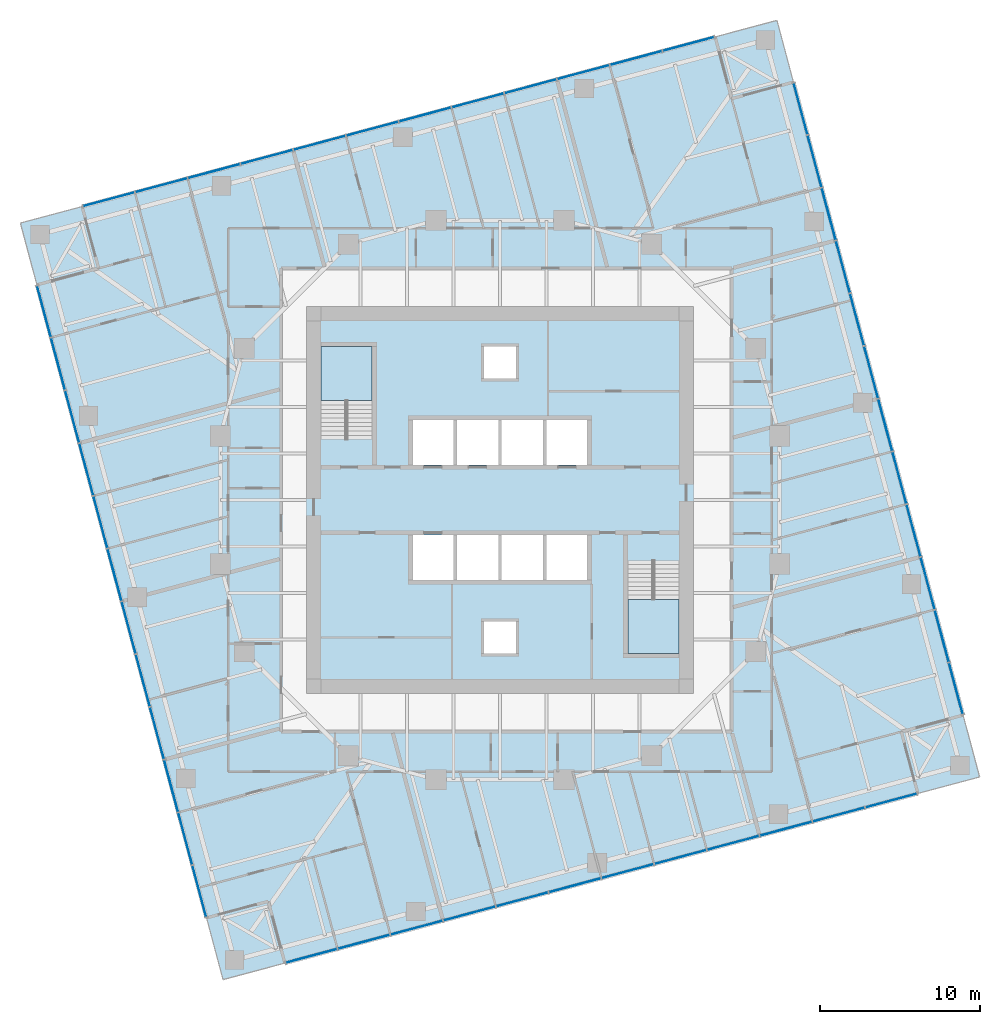
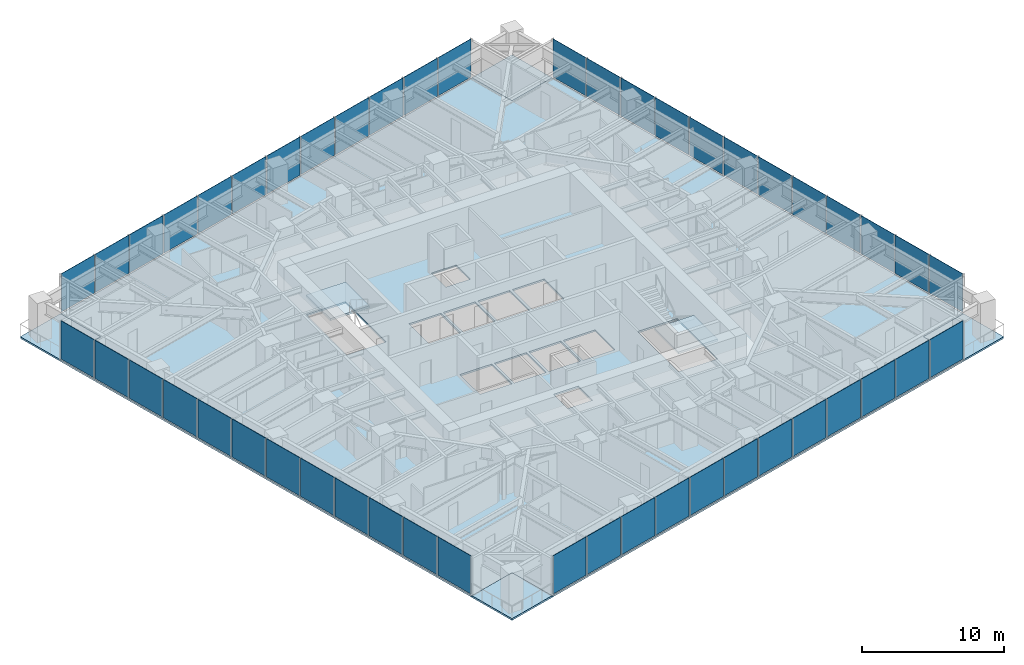
# One storey, part 7 of 14: 48 plates, 7 slabs, 6 elements without a shape of their own.
"""IFC4 building model written with IfcOpenShell, lengths in metres."""

from ifc_helpers import new_model, si_unit, direction, frame, origin, origin_2d, place, context, subcontext, project, spatial, polyline, rectangle, outline, extrude, material, layer, layer_set, type_object, element, aggregate, save


model = new_model("IFC4")

# Units and contexts
model_context = context("Model", 3, precision=1e-05, world=origin(), true_north=direction((0.0, 1.0)))
body_context = subcontext(model_context, "Body", "Model", "MODEL_VIEW")
ifc_project = project(units=[si_unit("LENGTHUNIT", "METRE"), si_unit("AREAUNIT", "SQUARE_METRE"), si_unit("VOLUMEUNIT", "CUBIC_METRE"), si_unit("PLANEANGLEUNIT", "RADIAN"), si_unit("MASSUNIT", "GRAM", prefix="KILO")], contexts=[model_context])

# Site, building, storey
site_placement = place(None, origin())
site = spatial("IfcSite", under=ifc_project, at=site_placement, CompositionType="ELEMENT")
building_placement = place(site_placement, origin())
building = spatial("IfcBuilding", under=site, at=building_placement, Name="Torsade Residences", CompositionType="ELEMENT")
storey_placement = place(building_placement, frame((0.0, 0.0, 111.60009765625)))
storey = spatial("IfcBuildingStorey", under=building, at=storey_placement, Name="L30", CompositionType="ELEMENT", Elevation=111.60009765625)

# Slab
ifc_material_1 = material(Name="Concrete 40 MPa", Category="concrete")
ifc_layer_1 = layer(ifc_material_1, 0.14990234375)
ifc_layer_set_1 = layer_set([ifc_layer_1], Name="Concrete 40 MPa")
slab_type_1 = type_object("IfcSlabType", Name="COMPOSITE FLOOR SLAB 150", PredefinedType="FLOOR", material=ifc_layer_set_1)
slab_1_placement = place(storey_placement, frame((0.0, 0.0, -0.150146484375)))
element("IfcSlab", 1, at=slab_1_placement, inside=storey, type_object=slab_type_1, Name="Floor slab L30", PredefinedType="FLOOR", context=body_context, shape_type="SweptSolid", body=[
    extrude(outline(polyline([(26.53955078125, 1.029052734375), (66.142578125, 11.640625), (65.107177734375, 15.50439453125), (68.970947265625, 16.53955078125), (58.359375, 56.142578125), (54.49560546875, 55.107177734375), (53.46044921875, 58.970947265625), (13.857421875, 48.359375), (14.892822265625, 44.49560546875), (11.029052734375, 43.46044921875), (21.640625, 3.857421875), (25.50439453125, 4.892822265625), (26.53955078125, 1.029052734375)]), holes=[polyline([(51.199951171875, 20.39990234375), (51.199951171875, 26.1201171875), (48.0, 26.1201171875), (48.0, 20.39990234375), (51.199951171875, 20.39990234375)]), polyline([(45.5, 27.800048828125), (42.89990234375, 27.800048828125), (42.89990234375, 25.0), (45.5, 25.0), (45.5, 27.800048828125)]), polyline([(45.5, 32.199951171875), (45.5, 35.0), (42.89990234375, 35.0), (42.89990234375, 32.199951171875), (45.5, 32.199951171875)]), polyline([(42.699951171875, 25.0), (42.699951171875, 27.800048828125), (40.10009765625, 27.800048828125), (40.10009765625, 25.0), (42.699951171875, 25.0)]), polyline([(42.699951171875, 32.199951171875), (42.699951171875, 35.0), (40.10009765625, 35.0), (40.10009765625, 32.199951171875), (42.699951171875, 32.199951171875)]), polyline([(41.0, 22.39990234375), (39.0, 22.39990234375), (39.0, 20.39990234375), (41.0, 20.39990234375), (41.0, 22.39990234375)]), polyline([(41.0, 37.60009765625), (41.0, 39.60009765625), (39.0, 39.60009765625), (39.0, 37.60009765625), (41.0, 37.60009765625)]), polyline([(39.89990234375, 25.0), (39.89990234375, 27.800048828125), (37.300048828125, 27.800048828125), (37.300048828125, 25.0), (39.89990234375, 25.0)]), polyline([(39.89990234375, 35.0), (37.300048828125, 35.0), (37.300048828125, 32.199951171875), (39.89990234375, 32.199951171875), (39.89990234375, 35.0)]), polyline([(37.10009765625, 27.800048828125), (34.5, 27.800048828125), (34.5, 25.0), (37.10009765625, 25.0), (37.10009765625, 27.800048828125)]), polyline([(37.10009765625, 32.199951171875), (37.10009765625, 35.0), (34.5, 35.0), (34.5, 32.199951171875), (37.10009765625, 32.199951171875)]), polyline([(32.0, 33.8798828125), (32.0, 39.60009765625), (28.800048828125, 39.60009765625), (28.800048828125, 33.8798828125), (32.0, 33.8798828125)])]), origin(), (0.0, 0.0, 1.0), 0.150146484375),
])

# Curtain wall, plates
ifc_material_2 = material(Name="Aluminium and glass", Category="aluminium")
curtain_wall_type = type_object("IfcCurtainWallType", Name="FRITTED GLASS CURTAIN WALL MID ZONE", PredefinedType="NOTDEFINED", material=ifc_material_2)
curtain_wall_1_placement = place(storey_placement, origin())
curtain_wall_1 = element("IfcCurtainWall", 2, at=curtain_wall_1_placement, inside=storey, type_object=curtain_wall_type, Name="Curtain wall L30 face 1", PredefinedType="NOTDEFINED")
ifc_material_3 = material(Name="Laminated glass", Category="glass")
ifc_layer_2 = layer(ifc_material_3, 0.031982421875)
ifc_layer_set_2 = layer_set([ifc_layer_2], Name="Laminated glass")
plate_type_1 = type_object("IfcPlateType", Name="FRITTED GLASS PANEL", PredefinedType="CURTAIN_PANEL", material=ifc_layer_set_2)
plate_1_placement = place(storey_placement, frame((28.208984375, 1.476318359375, 0.10986328125), z_axis=(0.0, 0.0, 1.0), x_axis=(0.965925825571, 0.258819047783, 0.0)))
plate_1 = element("IfcPlate", 3, at=plate_1_placement, type_object=plate_type_1, Name="Panel 1", PredefinedType="CURTAIN_PANEL", context=body_context, shape_type="SweptSolid", body=[
    extrude(rectangle(XDim=3.296630859375, YDim=0.031982421875, at=origin_2d()), origin(), (0.0, 0.0, 1.0), 3.2900390625),
])
plate_2_placement = place(storey_placement, frame((34.790283203125, 3.23974609375, 0.10986328125), z_axis=(0.0, 0.0, 1.0), x_axis=(0.965925825571, 0.258819047783, 0.0)))
plate_2 = element("IfcPlate", 4, at=plate_2_placement, type_object=plate_type_1, Name="Panel 3", PredefinedType="CURTAIN_PANEL", context=body_context, shape_type="SweptSolid", body=[
    extrude(rectangle(XDim=3.336669921875, YDim=0.031982421875, at=origin_2d()), origin(), (0.0, 0.0, 1.0), 3.2900390625),
])
plate_3_placement = place(storey_placement, frame((38.09033203125, 4.1240234375, 0.10986328125), z_axis=(0.0, 0.0, 1.0), x_axis=(0.965925825571, 0.258819047783, 0.0)))
plate_3 = element("IfcPlate", 5, at=plate_3_placement, type_object=plate_type_1, Name="Panel 4", PredefinedType="CURTAIN_PANEL", context=body_context, shape_type="SweptSolid", body=[
    extrude(rectangle(XDim=3.336669921875, YDim=0.031982421875, at=origin_2d()), origin(), (0.0, 0.0, 1.0), 3.2900390625),
])
plate_4_placement = place(storey_placement, frame((41.390625, 5.00830078125, 0.10986328125), z_axis=(0.0, 0.0, 1.0), x_axis=(0.965925825571, 0.258819047783, 0.0)))
plate_4 = element("IfcPlate", 6, at=plate_4_placement, type_object=plate_type_1, Name="Panel 5", PredefinedType="CURTAIN_PANEL", context=body_context, shape_type="SweptSolid", body=[
    extrude(rectangle(XDim=3.336669921875, YDim=0.031982421875, at=origin_2d()), origin(), (0.0, 0.0, 1.0), 3.2900390625),
])
plate_5_placement = place(storey_placement, frame((47.9912109375, 6.77685546875, 0.10986328125), z_axis=(0.0, 0.0, 1.0), x_axis=(0.965925825571, 0.258819047783, 0.0)))
plate_5 = element("IfcPlate", 7, at=plate_5_placement, type_object=plate_type_1, Name="Panel 7", PredefinedType="CURTAIN_PANEL", context=body_context, shape_type="SweptSolid", body=[
    extrude(rectangle(XDim=3.336669921875, YDim=0.031982421875, at=origin_2d()), origin(), (0.0, 0.0, 1.0), 3.2900390625),
])
plate_6_placement = place(storey_placement, frame((51.29150390625, 7.661376953125, 0.10986328125), z_axis=(0.0, 0.0, 1.0), x_axis=(0.965925825571, 0.258819047783, 0.0)))
plate_6 = element("IfcPlate", 8, at=plate_6_placement, type_object=plate_type_1, Name="Panel 8", PredefinedType="CURTAIN_PANEL", context=body_context, shape_type="SweptSolid", body=[
    extrude(rectangle(XDim=3.336669921875, YDim=0.031982421875, at=origin_2d()), origin(), (0.0, 0.0, 1.0), 3.2900390625),
])
plate_7_placement = place(storey_placement, frame((54.591796875, 8.545654296875, 0.10986328125), z_axis=(0.0, 0.0, 1.0), x_axis=(0.965925825571, 0.258819047783, 0.0)))
plate_7 = element("IfcPlate", 9, at=plate_7_placement, type_object=plate_type_1, Name="Panel 9", PredefinedType="CURTAIN_PANEL", context=body_context, shape_type="SweptSolid", body=[
    extrude(rectangle(XDim=3.336669921875, YDim=0.031982421875, at=origin_2d()), origin(), (0.0, 0.0, 1.0), 3.2900390625),
])
plate_8_placement = place(storey_placement, frame((61.192138671875, 10.314208984375, 0.10986328125), z_axis=(0.0, 0.0, 1.0), x_axis=(0.965925825571, 0.258819047783, 0.0)))
plate_8 = element("IfcPlate", 10, at=plate_8_placement, type_object=plate_type_1, Name="Panel 11", PredefinedType="CURTAIN_PANEL", context=body_context, shape_type="SweptSolid", body=[
    extrude(rectangle(XDim=3.336669921875, YDim=0.031982421875, at=origin_2d()), origin(), (0.0, 0.0, 1.0), 3.2900390625),
])
plate_9_placement = place(storey_placement, frame((64.47314453125, 11.193359375, 0.10986328125), z_axis=(0.0, 0.0, 1.0), x_axis=(0.965925825571, 0.258819047783, 0.0)))
plate_9 = element("IfcPlate", 11, at=plate_9_placement, type_object=plate_type_1, Name="Panel 12", PredefinedType="CURTAIN_PANEL", context=body_context, shape_type="SweptSolid", body=[
    extrude(rectangle(XDim=3.296630859375, YDim=0.031982421875, at=origin_2d()), origin(), (0.0, 0.0, 1.0), 3.2900390625),
])

curtain_wall_2_placement = place(storey_placement, origin())
curtain_wall_2 = element("IfcCurtainWall", 12, at=curtain_wall_2_placement, inside=storey, type_object=curtain_wall_type, Name="Curtain wall L30 face 4", PredefinedType="NOTDEFINED")
plate_10_placement = place(storey_placement, frame((68.523681640625, 18.208984375, 0.10986328125), z_axis=(0.0, 0.0, 1.0), x_axis=(-0.258819047783, 0.965925825571, 0.0)))
plate_10 = element("IfcPlate", 13, at=plate_10_placement, type_object=plate_type_1, Name="Panel 1", PredefinedType="CURTAIN_PANEL", context=body_context, shape_type="SweptSolid", body=[
    extrude(rectangle(XDim=3.296630859375, YDim=0.031982421875, at=origin_2d()), origin(), (0.0, 0.0, 1.0), 3.2900390625),
])
plate_11_placement = place(storey_placement, frame((66.76025390625, 24.790283203125, 0.10986328125), z_axis=(0.0, 0.0, 1.0), x_axis=(-0.258819047783, 0.965925825571, 0.0)))
plate_11 = element("IfcPlate", 14, at=plate_11_placement, type_object=plate_type_1, Name="Panel 3", PredefinedType="CURTAIN_PANEL", context=body_context, shape_type="SweptSolid", body=[
    extrude(rectangle(XDim=3.336669921875, YDim=0.031982421875, at=origin_2d()), origin(), (0.0, 0.0, 1.0), 3.2900390625),
])
plate_12_placement = place(storey_placement, frame((65.8759765625, 28.09033203125, 0.10986328125), z_axis=(0.0, 0.0, 1.0), x_axis=(-0.258819047783, 0.965925825571, 0.0)))
plate_12 = element("IfcPlate", 15, at=plate_12_placement, type_object=plate_type_1, Name="Panel 4", PredefinedType="CURTAIN_PANEL", context=body_context, shape_type="SweptSolid", body=[
    extrude(rectangle(XDim=3.336669921875, YDim=0.031982421875, at=origin_2d()), origin(), (0.0, 0.0, 1.0), 3.2900390625),
])
plate_13_placement = place(storey_placement, frame((64.99169921875, 31.390625, 0.10986328125), z_axis=(0.0, 0.0, 1.0), x_axis=(-0.258819047783, 0.965925825571, 0.0)))
plate_13 = element("IfcPlate", 16, at=plate_13_placement, type_object=plate_type_1, Name="Panel 5", PredefinedType="CURTAIN_PANEL", context=body_context, shape_type="SweptSolid", body=[
    extrude(rectangle(XDim=3.336669921875, YDim=0.031982421875, at=origin_2d()), origin(), (0.0, 0.0, 1.0), 3.2900390625),
])
plate_14_placement = place(storey_placement, frame((63.22314453125, 37.9912109375, 0.10986328125), z_axis=(0.0, 0.0, 1.0), x_axis=(-0.258819047783, 0.965925825571, 0.0)))
plate_14 = element("IfcPlate", 17, at=plate_14_placement, type_object=plate_type_1, Name="Panel 7", PredefinedType="CURTAIN_PANEL", context=body_context, shape_type="SweptSolid", body=[
    extrude(rectangle(XDim=3.336669921875, YDim=0.031982421875, at=origin_2d()), origin(), (0.0, 0.0, 1.0), 3.2900390625),
])
plate_15_placement = place(storey_placement, frame((62.338623046875, 41.29150390625, 0.10986328125), z_axis=(0.0, 0.0, 1.0), x_axis=(-0.258819047783, 0.965925825571, 0.0)))
plate_15 = element("IfcPlate", 18, at=plate_15_placement, type_object=plate_type_1, Name="Panel 8", PredefinedType="CURTAIN_PANEL", context=body_context, shape_type="SweptSolid", body=[
    extrude(rectangle(XDim=3.336669921875, YDim=0.031982421875, at=origin_2d()), origin(), (0.0, 0.0, 1.0), 3.2900390625),
])
plate_16_placement = place(storey_placement, frame((61.454345703125, 44.591796875, 0.10986328125), z_axis=(0.0, 0.0, 1.0), x_axis=(-0.258819047783, 0.965925825571, 0.0)))
plate_16 = element("IfcPlate", 19, at=plate_16_placement, type_object=plate_type_1, Name="Panel 9", PredefinedType="CURTAIN_PANEL", context=body_context, shape_type="SweptSolid", body=[
    extrude(rectangle(XDim=3.336669921875, YDim=0.031982421875, at=origin_2d()), origin(), (0.0, 0.0, 1.0), 3.2900390625),
])
plate_17_placement = place(storey_placement, frame((59.685791015625, 51.192138671875, 0.10986328125), z_axis=(0.0, 0.0, 1.0), x_axis=(-0.258819047783, 0.965925825571, 0.0)))
plate_17 = element("IfcPlate", 20, at=plate_17_placement, type_object=plate_type_1, Name="Panel 11", PredefinedType="CURTAIN_PANEL", context=body_context, shape_type="SweptSolid", body=[
    extrude(rectangle(XDim=3.336669921875, YDim=0.031982421875, at=origin_2d()), origin(), (0.0, 0.0, 1.0), 3.2900390625),
])
plate_18_placement = place(storey_placement, frame((58.806640625, 54.47314453125, 0.10986328125), z_axis=(0.0, 0.0, 1.0), x_axis=(-0.258819047783, 0.965925825571, 0.0)))
plate_18 = element("IfcPlate", 21, at=plate_18_placement, type_object=plate_type_1, Name="Panel 12", PredefinedType="CURTAIN_PANEL", context=body_context, shape_type="SweptSolid", body=[
    extrude(rectangle(XDim=3.296630859375, YDim=0.031982421875, at=origin_2d()), origin(), (0.0, 0.0, 1.0), 3.2900390625),
])

curtain_wall_3_placement = place(storey_placement, origin())
curtain_wall_3 = element("IfcCurtainWall", 22, at=curtain_wall_3_placement, inside=storey, type_object=curtain_wall_type, Name="Curtain wall L30 face 7", PredefinedType="NOTDEFINED")
plate_19_placement = place(storey_placement, frame((51.791015625, 58.523681640625, 0.10986328125), z_axis=(0.0, 0.0, 1.0), x_axis=(-0.965925825571, -0.258819047783, 0.0)))
plate_19 = element("IfcPlate", 23, at=plate_19_placement, type_object=plate_type_1, Name="Panel 1", PredefinedType="CURTAIN_PANEL", context=body_context, shape_type="SweptSolid", body=[
    extrude(rectangle(XDim=3.296630859375, YDim=0.031982421875, at=origin_2d()), origin(), (0.0, 0.0, 1.0), 3.2900390625),
])
plate_20_placement = place(storey_placement, frame((45.209716796875, 56.76025390625, 0.10986328125), z_axis=(0.0, 0.0, 1.0), x_axis=(-0.965925825571, -0.258819047783, 0.0)))
plate_20 = element("IfcPlate", 24, at=plate_20_placement, type_object=plate_type_1, Name="Panel 3", PredefinedType="CURTAIN_PANEL", context=body_context, shape_type="SweptSolid", body=[
    extrude(rectangle(XDim=3.336669921875, YDim=0.031982421875, at=origin_2d()), origin(), (0.0, 0.0, 1.0), 3.2900390625),
])
plate_21_placement = place(storey_placement, frame((41.90966796875, 55.8759765625, 0.10986328125), z_axis=(0.0, 0.0, 1.0), x_axis=(-0.965925825571, -0.258819047783, 0.0)))
plate_21 = element("IfcPlate", 25, at=plate_21_placement, type_object=plate_type_1, Name="Panel 4", PredefinedType="CURTAIN_PANEL", context=body_context, shape_type="SweptSolid", body=[
    extrude(rectangle(XDim=3.336669921875, YDim=0.031982421875, at=origin_2d()), origin(), (0.0, 0.0, 1.0), 3.2900390625),
])
plate_22_placement = place(storey_placement, frame((38.609375, 54.99169921875, 0.10986328125), z_axis=(0.0, 0.0, 1.0), x_axis=(-0.965925825571, -0.258819047783, 0.0)))
plate_22 = element("IfcPlate", 26, at=plate_22_placement, type_object=plate_type_1, Name="Panel 5", PredefinedType="CURTAIN_PANEL", context=body_context, shape_type="SweptSolid", body=[
    extrude(rectangle(XDim=3.336669921875, YDim=0.031982421875, at=origin_2d()), origin(), (0.0, 0.0, 1.0), 3.2900390625),
])
plate_23_placement = place(storey_placement, frame((32.0087890625, 53.22314453125, 0.10986328125), z_axis=(0.0, 0.0, 1.0), x_axis=(-0.965925825571, -0.258819047783, 0.0)))
plate_23 = element("IfcPlate", 27, at=plate_23_placement, type_object=plate_type_1, Name="Panel 7", PredefinedType="CURTAIN_PANEL", context=body_context, shape_type="SweptSolid", body=[
    extrude(rectangle(XDim=3.336669921875, YDim=0.031982421875, at=origin_2d()), origin(), (0.0, 0.0, 1.0), 3.2900390625),
])
plate_24_placement = place(storey_placement, frame((28.70849609375, 52.338623046875, 0.10986328125), z_axis=(0.0, 0.0, 1.0), x_axis=(-0.965925825571, -0.258819047783, 0.0)))
plate_24 = element("IfcPlate", 28, at=plate_24_placement, type_object=plate_type_1, Name="Panel 8", PredefinedType="CURTAIN_PANEL", context=body_context, shape_type="SweptSolid", body=[
    extrude(rectangle(XDim=3.336669921875, YDim=0.031982421875, at=origin_2d()), origin(), (0.0, 0.0, 1.0), 3.2900390625),
])
plate_25_placement = place(storey_placement, frame((25.408203125, 51.454345703125, 0.10986328125), z_axis=(0.0, 0.0, 1.0), x_axis=(-0.965925825571, -0.258819047783, 0.0)))
plate_25 = element("IfcPlate", 29, at=plate_25_placement, type_object=plate_type_1, Name="Panel 9", PredefinedType="CURTAIN_PANEL", context=body_context, shape_type="SweptSolid", body=[
    extrude(rectangle(XDim=3.336669921875, YDim=0.031982421875, at=origin_2d()), origin(), (0.0, 0.0, 1.0), 3.2900390625),
])
plate_26_placement = place(storey_placement, frame((18.807861328125, 49.685791015625, 0.10986328125), z_axis=(0.0, 0.0, 1.0), x_axis=(-0.965925825571, -0.258819047783, 0.0)))
plate_26 = element("IfcPlate", 30, at=plate_26_placement, type_object=plate_type_1, Name="Panel 11", PredefinedType="CURTAIN_PANEL", context=body_context, shape_type="SweptSolid", body=[
    extrude(rectangle(XDim=3.336669921875, YDim=0.031982421875, at=origin_2d()), origin(), (0.0, 0.0, 1.0), 3.2900390625),
])
plate_27_placement = place(storey_placement, frame((15.52685546875, 48.806640625, 0.10986328125), z_axis=(0.0, 0.0, 1.0), x_axis=(-0.965925825571, -0.258819047783, 0.0)))
plate_27 = element("IfcPlate", 31, at=plate_27_placement, type_object=plate_type_1, Name="Panel 12", PredefinedType="CURTAIN_PANEL", context=body_context, shape_type="SweptSolid", body=[
    extrude(rectangle(XDim=3.296630859375, YDim=0.031982421875, at=origin_2d()), origin(), (0.0, 0.0, 1.0), 3.2900390625),
])

curtain_wall_4_placement = place(storey_placement, origin())
curtain_wall_4 = element("IfcCurtainWall", 32, at=curtain_wall_4_placement, inside=storey, type_object=curtain_wall_type, Name="Curtain wall L30 face 10", PredefinedType="NOTDEFINED")
plate_28_placement = place(storey_placement, frame((11.476318359375, 41.791015625, 0.10986328125), z_axis=(0.0, 0.0, 1.0), x_axis=(0.258819047783, -0.965925825571, 0.0)))
plate_28 = element("IfcPlate", 33, at=plate_28_placement, type_object=plate_type_1, Name="Panel 1", PredefinedType="CURTAIN_PANEL", context=body_context, shape_type="SweptSolid", body=[
    extrude(rectangle(XDim=3.296630859375, YDim=0.031982421875, at=origin_2d()), origin(), (0.0, 0.0, 1.0), 3.2900390625),
])
plate_29_placement = place(storey_placement, frame((13.23974609375, 35.209716796875, 0.10986328125), z_axis=(0.0, 0.0, 1.0), x_axis=(0.258819047783, -0.965925825571, 0.0)))
plate_29 = element("IfcPlate", 34, at=plate_29_placement, type_object=plate_type_1, Name="Panel 3", PredefinedType="CURTAIN_PANEL", context=body_context, shape_type="SweptSolid", body=[
    extrude(rectangle(XDim=3.336669921875, YDim=0.031982421875, at=origin_2d()), origin(), (0.0, 0.0, 1.0), 3.2900390625),
])
plate_30_placement = place(storey_placement, frame((14.1240234375, 31.90966796875, 0.10986328125), z_axis=(0.0, 0.0, 1.0), x_axis=(0.258819047783, -0.965925825571, 0.0)))
plate_30 = element("IfcPlate", 35, at=plate_30_placement, type_object=plate_type_1, Name="Panel 4", PredefinedType="CURTAIN_PANEL", context=body_context, shape_type="SweptSolid", body=[
    extrude(rectangle(XDim=3.336669921875, YDim=0.031982421875, at=origin_2d()), origin(), (0.0, 0.0, 1.0), 3.2900390625),
])
plate_31_placement = place(storey_placement, frame((15.00830078125, 28.609375, 0.10986328125), z_axis=(0.0, 0.0, 1.0), x_axis=(0.258819047783, -0.965925825571, 0.0)))
plate_31 = element("IfcPlate", 36, at=plate_31_placement, type_object=plate_type_1, Name="Panel 5", PredefinedType="CURTAIN_PANEL", context=body_context, shape_type="SweptSolid", body=[
    extrude(rectangle(XDim=3.336669921875, YDim=0.031982421875, at=origin_2d()), origin(), (0.0, 0.0, 1.0), 3.2900390625),
])
plate_32_placement = place(storey_placement, frame((16.77685546875, 22.0087890625, 0.10986328125), z_axis=(0.0, 0.0, 1.0), x_axis=(0.258819047783, -0.965925825571, 0.0)))
plate_32 = element("IfcPlate", 37, at=plate_32_placement, type_object=plate_type_1, Name="Panel 7", PredefinedType="CURTAIN_PANEL", context=body_context, shape_type="SweptSolid", body=[
    extrude(rectangle(XDim=3.336669921875, YDim=0.031982421875, at=origin_2d()), origin(), (0.0, 0.0, 1.0), 3.2900390625),
])
plate_33_placement = place(storey_placement, frame((17.661376953125, 18.70849609375, 0.10986328125), z_axis=(0.0, 0.0, 1.0), x_axis=(0.258819047783, -0.965925825571, 0.0)))
plate_33 = element("IfcPlate", 38, at=plate_33_placement, type_object=plate_type_1, Name="Panel 8", PredefinedType="CURTAIN_PANEL", context=body_context, shape_type="SweptSolid", body=[
    extrude(rectangle(XDim=3.336669921875, YDim=0.031982421875, at=origin_2d()), origin(), (0.0, 0.0, 1.0), 3.2900390625),
])
plate_34_placement = place(storey_placement, frame((18.545654296875, 15.408203125, 0.10986328125), z_axis=(0.0, 0.0, 1.0), x_axis=(0.258819047783, -0.965925825571, 0.0)))
plate_34 = element("IfcPlate", 39, at=plate_34_placement, type_object=plate_type_1, Name="Panel 9", PredefinedType="CURTAIN_PANEL", context=body_context, shape_type="SweptSolid", body=[
    extrude(rectangle(XDim=3.336669921875, YDim=0.031982421875, at=origin_2d()), origin(), (0.0, 0.0, 1.0), 3.2900390625),
])
plate_35_placement = place(storey_placement, frame((20.314208984375, 8.807861328125, 0.10986328125), z_axis=(0.0, 0.0, 1.0), x_axis=(0.258819047783, -0.965925825571, 0.0)))
plate_35 = element("IfcPlate", 40, at=plate_35_placement, type_object=plate_type_1, Name="Panel 11", PredefinedType="CURTAIN_PANEL", context=body_context, shape_type="SweptSolid", body=[
    extrude(rectangle(XDim=3.336669921875, YDim=0.031982421875, at=origin_2d()), origin(), (0.0, 0.0, 1.0), 3.2900390625),
])
plate_36_placement = place(storey_placement, frame((21.193359375, 5.52685546875, 0.10986328125), z_axis=(0.0, 0.0, 1.0), x_axis=(0.258819047783, -0.965925825571, 0.0)))
plate_36 = element("IfcPlate", 41, at=plate_36_placement, type_object=plate_type_1, Name="Panel 12", PredefinedType="CURTAIN_PANEL", context=body_context, shape_type="SweptSolid", body=[
    extrude(rectangle(XDim=3.296630859375, YDim=0.031982421875, at=origin_2d()), origin(), (0.0, 0.0, 1.0), 3.2900390625),
])

# Plate
ifc_material_4 = material(Name="Laminated glass", Category="glass")
ifc_layer_3 = layer(ifc_material_4, 0.0400390625)
ifc_layer_set_3 = layer_set([ifc_layer_3], Name="Laminated glass")
plate_type_2 = type_object("IfcPlateType", Name="OPERABLE VENT PANEL", PredefinedType="CURTAIN_PANEL", material=ifc_layer_set_3)
plate_37_placement = place(storey_placement, frame((31.489990234375, 2.35546875, 0.10986328125), z_axis=(0.0, 0.0, 1.0), x_axis=(0.965925825571, 0.258819047783, 0.0)))
plate_37 = element("IfcPlate", 42, at=plate_37_placement, type_object=plate_type_2, Name="Panel 2", PredefinedType="CURTAIN_PANEL", context=body_context, shape_type="SweptSolid", body=[
    extrude(rectangle(XDim=3.336669921875, YDim=0.0400390625, at=origin_2d()), origin(), (0.0, 0.0, 1.0), 3.2900390625),
])

plate_38_placement = place(storey_placement, frame((44.69091796875, 5.892578125, 0.10986328125), z_axis=(0.0, 0.0, 1.0), x_axis=(0.965925825571, 0.258819047783, 0.0)))
plate_38 = element("IfcPlate", 43, at=plate_38_placement, type_object=plate_type_2, Name="Panel 6", PredefinedType="CURTAIN_PANEL", context=body_context, shape_type="SweptSolid", body=[
    extrude(rectangle(XDim=3.336669921875, YDim=0.0400390625, at=origin_2d()), origin(), (0.0, 0.0, 1.0), 3.2900390625),
])

plate_39_placement = place(storey_placement, frame((57.891845703125, 9.429931640625, 0.10986328125), z_axis=(0.0, 0.0, 1.0), x_axis=(0.965925825571, 0.258819047783, 0.0)))
plate_39 = element("IfcPlate", 44, at=plate_39_placement, type_object=plate_type_2, Name="Panel 10", PredefinedType="CURTAIN_PANEL", context=body_context, shape_type="SweptSolid", body=[
    extrude(rectangle(XDim=3.336669921875, YDim=0.0400390625, at=origin_2d()), origin(), (0.0, 0.0, 1.0), 3.2900390625),
])

aggregate(curtain_wall_1, [plate_1, plate_37, plate_2, plate_3, plate_4, plate_38, plate_5, plate_6, plate_7, plate_39, plate_8, plate_9])

plate_40_placement = place(storey_placement, frame((67.64453125, 21.489990234375, 0.10986328125), z_axis=(0.0, 0.0, 1.0), x_axis=(-0.258819047783, 0.965925825571, 0.0)))
plate_40 = element("IfcPlate", 45, at=plate_40_placement, type_object=plate_type_2, Name="Panel 2", PredefinedType="CURTAIN_PANEL", context=body_context, shape_type="SweptSolid", body=[
    extrude(rectangle(XDim=3.336669921875, YDim=0.0400390625, at=origin_2d()), origin(), (0.0, 0.0, 1.0), 3.2900390625),
])

plate_41_placement = place(storey_placement, frame((64.107421875, 34.69091796875, 0.10986328125), z_axis=(0.0, 0.0, 1.0), x_axis=(-0.258819047783, 0.965925825571, 0.0)))
plate_41 = element("IfcPlate", 46, at=plate_41_placement, type_object=plate_type_2, Name="Panel 6", PredefinedType="CURTAIN_PANEL", context=body_context, shape_type="SweptSolid", body=[
    extrude(rectangle(XDim=3.336669921875, YDim=0.0400390625, at=origin_2d()), origin(), (0.0, 0.0, 1.0), 3.2900390625),
])

plate_42_placement = place(storey_placement, frame((60.570068359375, 47.891845703125, 0.10986328125), z_axis=(0.0, 0.0, 1.0), x_axis=(-0.258819047783, 0.965925825571, 0.0)))
plate_42 = element("IfcPlate", 47, at=plate_42_placement, type_object=plate_type_2, Name="Panel 10", PredefinedType="CURTAIN_PANEL", context=body_context, shape_type="SweptSolid", body=[
    extrude(rectangle(XDim=3.336669921875, YDim=0.0400390625, at=origin_2d()), origin(), (0.0, 0.0, 1.0), 3.2900390625),
])

aggregate(curtain_wall_2, [plate_10, plate_40, plate_11, plate_12, plate_13, plate_41, plate_14, plate_15, plate_16, plate_42, plate_17, plate_18])

plate_43_placement = place(storey_placement, frame((48.510009765625, 57.64453125, 0.10986328125), z_axis=(0.0, 0.0, 1.0), x_axis=(-0.965925825571, -0.258819047783, 0.0)))
plate_43 = element("IfcPlate", 48, at=plate_43_placement, type_object=plate_type_2, Name="Panel 2", PredefinedType="CURTAIN_PANEL", context=body_context, shape_type="SweptSolid", body=[
    extrude(rectangle(XDim=3.336669921875, YDim=0.0400390625, at=origin_2d()), origin(), (0.0, 0.0, 1.0), 3.2900390625),
])

plate_44_placement = place(storey_placement, frame((35.30908203125, 54.107421875, 0.10986328125), z_axis=(0.0, 0.0, 1.0), x_axis=(-0.965925825571, -0.258819047783, 0.0)))
plate_44 = element("IfcPlate", 49, at=plate_44_placement, type_object=plate_type_2, Name="Panel 6", PredefinedType="CURTAIN_PANEL", context=body_context, shape_type="SweptSolid", body=[
    extrude(rectangle(XDim=3.336669921875, YDim=0.0400390625, at=origin_2d()), origin(), (0.0, 0.0, 1.0), 3.2900390625),
])

plate_45_placement = place(storey_placement, frame((22.108154296875, 50.570068359375, 0.10986328125), z_axis=(0.0, 0.0, 1.0), x_axis=(-0.965925825571, -0.258819047783, 0.0)))
plate_45 = element("IfcPlate", 50, at=plate_45_placement, type_object=plate_type_2, Name="Panel 10", PredefinedType="CURTAIN_PANEL", context=body_context, shape_type="SweptSolid", body=[
    extrude(rectangle(XDim=3.336669921875, YDim=0.0400390625, at=origin_2d()), origin(), (0.0, 0.0, 1.0), 3.2900390625),
])

aggregate(curtain_wall_3, [plate_19, plate_43, plate_20, plate_21, plate_22, plate_44, plate_23, plate_24, plate_25, plate_45, plate_26, plate_27])

plate_46_placement = place(storey_placement, frame((12.35546875, 38.510009765625, 0.10986328125), z_axis=(0.0, 0.0, 1.0), x_axis=(0.258819047783, -0.965925825571, 0.0)))
plate_46 = element("IfcPlate", 51, at=plate_46_placement, type_object=plate_type_2, Name="Panel 2", PredefinedType="CURTAIN_PANEL", context=body_context, shape_type="SweptSolid", body=[
    extrude(rectangle(XDim=3.336669921875, YDim=0.0400390625, at=origin_2d()), origin(), (0.0, 0.0, 1.0), 3.2900390625),
])

plate_47_placement = place(storey_placement, frame((15.892578125, 25.30908203125, 0.10986328125), z_axis=(0.0, 0.0, 1.0), x_axis=(0.258819047783, -0.965925825571, 0.0)))
plate_47 = element("IfcPlate", 52, at=plate_47_placement, type_object=plate_type_2, Name="Panel 6", PredefinedType="CURTAIN_PANEL", context=body_context, shape_type="SweptSolid", body=[
    extrude(rectangle(XDim=3.336669921875, YDim=0.0400390625, at=origin_2d()), origin(), (0.0, 0.0, 1.0), 3.2900390625),
])

plate_48_placement = place(storey_placement, frame((19.429931640625, 12.108154296875, 0.10986328125), z_axis=(0.0, 0.0, 1.0), x_axis=(0.258819047783, -0.965925825571, 0.0)))
plate_48 = element("IfcPlate", 53, at=plate_48_placement, type_object=plate_type_2, Name="Panel 10", PredefinedType="CURTAIN_PANEL", context=body_context, shape_type="SweptSolid", body=[
    extrude(rectangle(XDim=3.336669921875, YDim=0.0400390625, at=origin_2d()), origin(), (0.0, 0.0, 1.0), 3.2900390625),
])

aggregate(curtain_wall_4, [plate_28, plate_46, plate_29, plate_30, plate_31, plate_47, plate_32, plate_33, plate_34, plate_48, plate_35, plate_36])

# Stair, slab
ifc_material_5 = material(Name="Precast concrete 40 MPa", Category="concrete")
stair_type = type_object("IfcStairType", Name="HALF-TURN FIRE STAIR 1500x3400", PredefinedType="HALF_TURN_STAIR", material=ifc_material_5)
stair_1_placement = place(storey_placement, origin())
stair_1 = element("IfcStair", 54, at=stair_1_placement, inside=storey, type_object=stair_type, Name="Stair ST1 L30", PredefinedType="HALF_TURN_STAIR")
ifc_material_6 = material(Name="Precast concrete 40 MPa", Category="concrete")
ifc_layer_4 = layer(ifc_material_6, 0.179931640625)
ifc_layer_set_4 = layer_set([ifc_layer_4], Name="Precast concrete 40 MPa")
slab_type_2 = type_object("IfcSlabType", Name="PRECAST STAIR LANDING 180", PredefinedType="LANDING", material=ifc_layer_set_4)
slab_2_placement = place(storey_placement, frame((0.0, 0.0, 1.52001953125)))
slab_2 = element("IfcSlab", 55, at=slab_2_placement, type_object=slab_type_2, Name="ST1 landing 1", PredefinedType="LANDING", context=body_context, shape_type="SweptSolid", body=[
    extrude(outline(polyline([(28.800048828125, 36.2099609375), (32.0, 36.2099609375), (32.0, 39.60009765625), (28.800048828125, 39.60009765625), (28.800048828125, 36.2099609375)])), origin(), (0.0, 0.0, 1.0), 0.179931640625),
])
aggregate(stair_1, [slab_2])

stair_2_placement = place(storey_placement, origin())
stair_2 = element("IfcStair", 56, at=stair_2_placement, inside=storey, type_object=stair_type, Name="Stair ST2 L30", PredefinedType="HALF_TURN_STAIR")
slab_3_placement = place(storey_placement, frame((0.0, 0.0, 1.52001953125)))
slab_3 = element("IfcSlab", 57, at=slab_3_placement, type_object=slab_type_2, Name="ST2 landing 1", PredefinedType="LANDING", context=body_context, shape_type="SweptSolid", body=[
    extrude(outline(polyline([(48.0, 20.39990234375), (51.199951171875, 20.39990234375), (51.199951171875, 23.7900390625), (48.0, 23.7900390625), (48.0, 20.39990234375)])), origin(), (0.0, 0.0, 1.0), 0.179931640625),
])
aggregate(stair_2, [slab_3])

# Slabs
ifc_material_7 = material(Name="Concrete 40 MPa", Category="concrete")
ifc_layer_5 = layer(ifc_material_7, 0.14990234375)
ifc_layer_set_5 = layer_set([ifc_layer_5], Name="Concrete 40 MPa")
slab_type_3 = type_object("IfcSlabType", Name="TERRACE SLAB 150", PredefinedType="FLOOR", material=ifc_layer_set_5)
slab_4_placement = place(storey_placement, frame((0.0, 0.0, -0.150146484375)))
element("IfcSlab", 58, at=slab_4_placement, inside=storey, type_object=slab_type_3, Name="Corner terrace slab SE L30", PredefinedType="FLOOR", context=body_context, shape_type="SweptSolid", body=[
    extrude(outline(polyline([(66.142578125, 11.640625), (70.00634765625, 12.67578125), (68.970947265625, 16.53955078125), (65.107177734375, 15.50439453125), (66.142578125, 11.640625)])), origin(), (0.0, 0.0, 1.0), 0.150146484375),
])
slab_5_placement = place(storey_placement, frame((0.0, 0.0, -0.150146484375)))
element("IfcSlab", 59, at=slab_5_placement, inside=storey, type_object=slab_type_3, Name="Corner terrace slab NE L30", PredefinedType="FLOOR", context=body_context, shape_type="SweptSolid", body=[
    extrude(outline(polyline([(54.49560546875, 55.107177734375), (58.359375, 56.142578125), (57.32421875, 60.00634765625), (53.46044921875, 58.970947265625), (54.49560546875, 55.107177734375)])), origin(), (0.0, 0.0, 1.0), 0.150146484375),
])
slab_6_placement = place(storey_placement, frame((0.0, 0.0, -0.150146484375)))
element("IfcSlab", 60, at=slab_6_placement, inside=storey, type_object=slab_type_3, Name="Corner terrace slab NW L30", PredefinedType="FLOOR", context=body_context, shape_type="SweptSolid", body=[
    extrude(outline(polyline([(11.029052734375, 43.46044921875), (14.892822265625, 44.49560546875), (13.857421875, 48.359375), (9.99365234375, 47.32421875), (11.029052734375, 43.46044921875)])), origin(), (0.0, 0.0, 1.0), 0.150146484375),
])
slab_7_placement = place(storey_placement, frame((0.0, 0.0, -0.150146484375)))
element("IfcSlab", 61, at=slab_7_placement, inside=storey, type_object=slab_type_3, Name="Corner terrace slab SW L30", PredefinedType="FLOOR", context=body_context, shape_type="SweptSolid", body=[
    extrude(outline(polyline([(22.67578125, -0.00634765625), (26.53955078125, 1.029052734375), (25.50439453125, 4.892822265625), (21.640625, 3.857421875), (22.67578125, -0.00634765625)])), origin(), (0.0, 0.0, 1.0), 0.150146484375),
])

save(model, "model.ifc")
